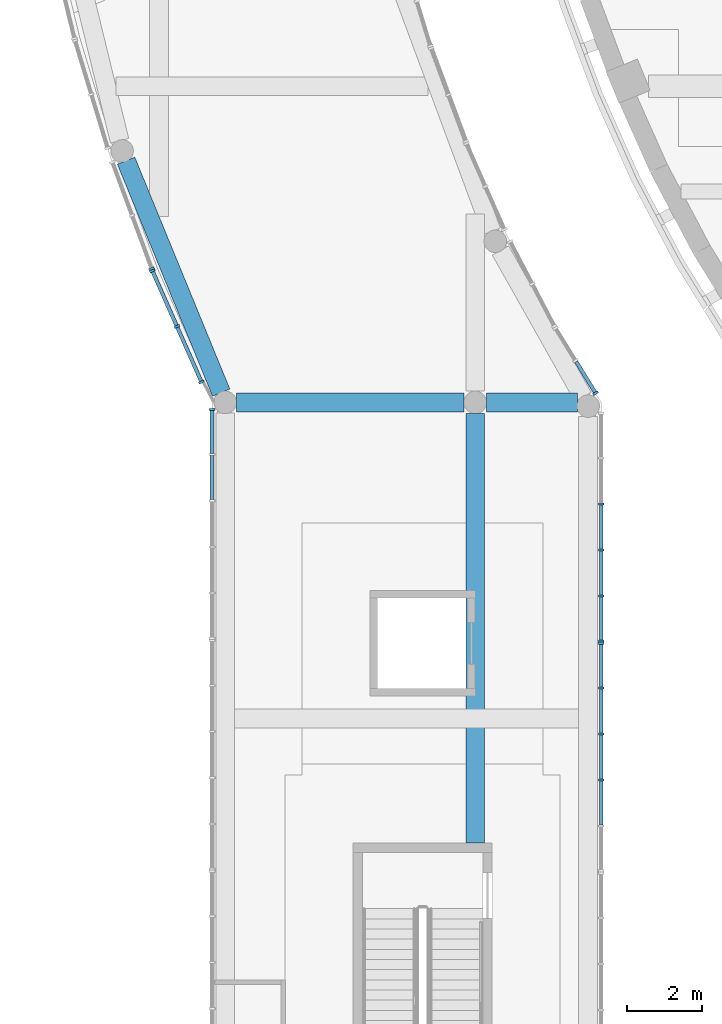
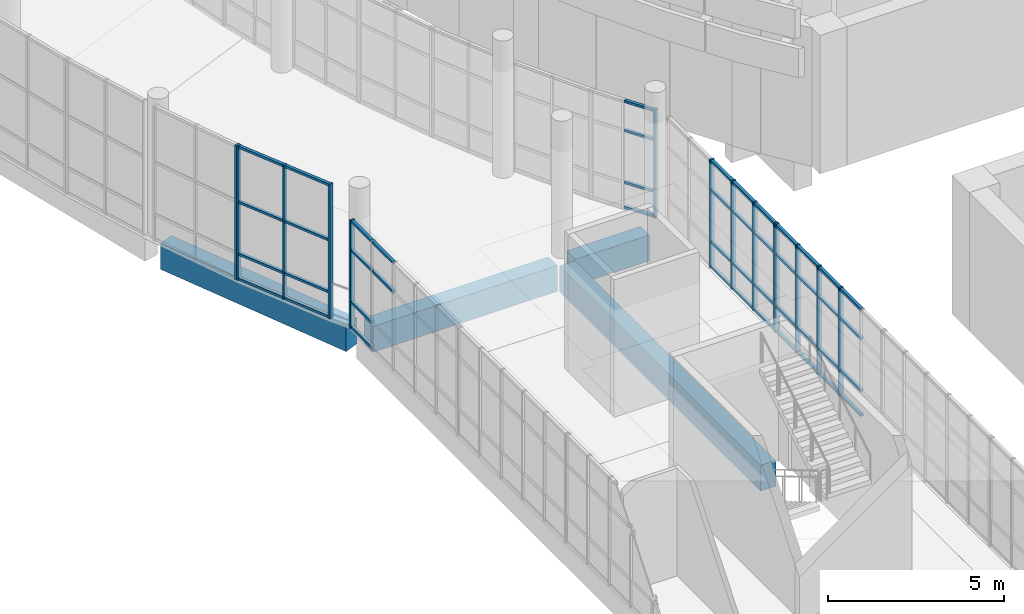
# One storey, part 8 of 119: 60 members, 4 beams, 6 elements without a shape of their own.
"""IFC4 building model written with IfcOpenShell, lengths in metres."""

from ifc_helpers import new_model, si_unit, direction, frame, origin, origin_2d, place, context, subcontext, project, spatial, rectangle, extrude, material, layer, layer_set, material_profile, profile_set, type_object, element, aggregate, save


model = new_model("IFC4")

# Units and contexts
model_context = context("Model", 3, precision=1e-05, world=origin(), true_north=direction((0.0, 1.0)))
body_context = subcontext(model_context, "Body", "Model", "MODEL_VIEW")
ifc_project = project(units=[si_unit("LENGTHUNIT", "METRE"), si_unit("AREAUNIT", "SQUARE_METRE"), si_unit("VOLUMEUNIT", "CUBIC_METRE"), si_unit("PLANEANGLEUNIT", "RADIAN"), si_unit("MASSUNIT", "GRAM", prefix="KILO")], contexts=[model_context])

# Site, building, storey
site_placement = place(None, origin())
site = spatial("IfcSite", under=ifc_project, at=site_placement, CompositionType="ELEMENT")
building_placement = place(site_placement, origin())
building = spatial("IfcBuilding", under=site, at=building_placement, Name="Larchfold Concert Hall", CompositionType="ELEMENT")
storey_placement = place(building_placement, frame((0.0, 0.0, 4.800048828125)))
storey = spatial("IfcBuildingStorey", under=building, at=storey_placement, Name="L01", CompositionType="ELEMENT", Elevation=4.800048828125)

# Curtain wall, member
ifc_material_1 = material(Name="Anodised graphite aluminium curtain wall", Category="aluminium")
ifc_layer = layer(ifc_material_1, 0.14990234375)
ifc_layer_set = layer_set([ifc_layer], Name="Anodised graphite aluminium curtain wall")
curtain_wall_type = type_object("IfcCurtainWallType", Name="Curtain wall WG", PredefinedType="NOTDEFINED", material=ifc_layer_set)
curtain_wall_1_placement = place(storey_placement, origin())
curtain_wall_1 = element("IfcCurtainWall", 1, at=curtain_wall_1_placement, inside=storey, type_object=curtain_wall_type, Name="Curtain wall CW0137", PredefinedType="NOTDEFINED")
ifc_material_2 = material(Name="Anodised graphite aluminium mullion", Category="aluminium")
ifc_material_profile_1 = material_profile(ifc_material_2, rectangle(XDim=0.14990234375, YDim=0.06005859375, at=origin_2d()))
ifc_profile_set_1 = profile_set([ifc_material_profile_1], Name="Anodised graphite aluminium mullion")
member_type_1 = type_object("IfcMemberType", Name="Aluminium mullion 60x150", PredefinedType="MULLION", material=ifc_profile_set_1)
member_1_placement = place(storey_placement, frame((20.59765625, 59.64599609375, 0.0), z_axis=(0.0, 0.0, 1.0), x_axis=(-0.851674367978, -0.52407134145, 0.0)))
member_1 = element("IfcMember", 2, at=member_1_placement, type_object=member_type_1, Name="CW0137 mullion 1", PredefinedType="MULLION", context=body_context, shape_type="SweptSolid", body=[
    extrude(rectangle(XDim=0.14990234375, YDim=0.06005859375, at=origin_2d()), origin(), (0.0, 0.0, 1.0), 3.75),
])

curtain_wall_2_placement = place(storey_placement, origin())
curtain_wall_2 = element("IfcCurtainWall", 3, at=curtain_wall_2_placement, inside=storey, type_object=curtain_wall_type, Name="Curtain wall CW0202", PredefinedType="NOTDEFINED")
member_2_placement = place(storey_placement, frame((8.80029296875, 62.95068359375, 0.0), z_axis=(0.0, 0.0, 1.0), x_axis=(0.938015834921, 0.346592402451, 0.0)))
member_2 = element("IfcMember", 4, at=member_2_placement, type_object=member_type_1, Name="CW0202 mullion 3", PredefinedType="MULLION", context=body_context, shape_type="SweptSolid", body=[
    extrude(rectangle(XDim=0.14990234375, YDim=0.06005859375, at=origin_2d()), origin(), (0.0, 0.0, 1.0), 4.64990234375),
])
aggregate(curtain_wall_2, [member_2])

# Curtain wall, members
curtain_wall_3_placement = place(storey_placement, origin())
curtain_wall_3 = element("IfcCurtainWall", 5, at=curtain_wall_3_placement, inside=storey, type_object=curtain_wall_type, Name="Curtain wall CW0203", PredefinedType="NOTDEFINED")
member_3_placement = place(storey_placement, frame((8.822998046875, 62.895263671875, 0.0), z_axis=(0.0, 0.0, 1.0), x_axis=(0.914703196701, 0.404126294549, 0.0)))
member_3 = element("IfcMember", 6, at=member_3_placement, type_object=member_type_1, Name="CW0203 mullion 1", PredefinedType="MULLION", context=body_context, shape_type="SweptSolid", body=[
    extrude(rectangle(XDim=0.14990234375, YDim=0.06005859375, at=origin_2d()), origin(), (0.0, 0.0, 1.0), 4.64990234375),
])
member_4_placement = place(storey_placement, frame((9.475341796875, 61.41845703125, 0.0), z_axis=(0.0, 0.0, 1.0), x_axis=(0.914703196701, 0.404126294549, 0.0)))
member_4 = element("IfcMember", 7, at=member_4_placement, type_object=member_type_1, Name="CW0203 mullion 2", PredefinedType="MULLION", context=body_context, shape_type="SweptSolid", body=[
    extrude(rectangle(XDim=0.14990234375, YDim=0.06005859375, at=origin_2d()), origin(), (0.0, 0.0, 1.0), 4.64990234375),
])
member_5_placement = place(storey_placement, frame((10.127685546875, 59.941650390625, 0.0), z_axis=(0.0, 0.0, 1.0), x_axis=(0.914703196701, 0.404126294549, 0.0)))
member_5 = element("IfcMember", 8, at=member_5_placement, type_object=member_type_1, Name="CW0203 mullion 3", PredefinedType="MULLION", context=body_context, shape_type="SweptSolid", body=[
    extrude(rectangle(XDim=0.14990234375, YDim=0.06005859375, at=origin_2d()), origin(), (0.0, 0.0, 1.0), 4.64990234375),
])

# Curtain wall, member
curtain_wall_4_placement = place(storey_placement, origin())
curtain_wall_4 = element("IfcCurtainWall", 9, at=curtain_wall_4_placement, inside=storey, type_object=curtain_wall_type, Name="Curtain wall CW0204", PredefinedType="NOTDEFINED")
member_6_placement = place(storey_placement, frame((10.408447265625, 59.211181640625, 0.0), z_axis=(0.0, 0.0, 1.0), x_axis=(1.0, 0.0, 0.0)))
member_6 = element("IfcMember", 10, at=member_6_placement, type_object=member_type_1, Name="CW0204 mullion 1", PredefinedType="MULLION", context=body_context, shape_type="SweptSolid", body=[
    extrude(rectangle(XDim=0.14990234375, YDim=0.06005859375, at=origin_2d()), origin(), (0.0, 0.0, 1.0), 3.75),
])

# Curtain wall, members
curtain_wall_5_placement = place(storey_placement, origin())
curtain_wall_5 = element("IfcCurtainWall", 11, at=curtain_wall_5_placement, inside=storey, type_object=curtain_wall_type, Name="Curtain wall CW0212", PredefinedType="NOTDEFINED")
member_7_placement = place(storey_placement, frame((20.748779296875, 49.368896484375, 0.0), z_axis=(0.0, 0.0, 1.0), x_axis=(-1.0, 0.0, 0.0)))
member_7 = element("IfcMember", 12, at=member_7_placement, type_object=member_type_1, Name="CW0212 mullion 3", PredefinedType="MULLION", context=body_context, shape_type="SweptSolid", body=[
    extrude(rectangle(XDim=0.14990234375, YDim=0.06005859375, at=origin_2d()), origin(), (0.0, 0.0, 1.0), 3.75),
])
member_8_placement = place(storey_placement, frame((20.748779296875, 50.5908203125, 0.0), z_axis=(0.0, 0.0, 1.0), x_axis=(-1.0, 0.0, 0.0)))
member_8 = element("IfcMember", 13, at=member_8_placement, type_object=member_type_1, Name="CW0212 mullion 4", PredefinedType="MULLION", context=body_context, shape_type="SweptSolid", body=[
    extrude(rectangle(XDim=0.14990234375, YDim=0.06005859375, at=origin_2d()), origin(), (0.0, 0.0, 1.0), 3.75),
])
member_9_placement = place(storey_placement, frame((20.748779296875, 51.8125, 0.0), z_axis=(0.0, 0.0, 1.0), x_axis=(-1.0, 0.0, 0.0)))
member_9 = element("IfcMember", 14, at=member_9_placement, type_object=member_type_1, Name="CW0212 mullion 5", PredefinedType="MULLION", context=body_context, shape_type="SweptSolid", body=[
    extrude(rectangle(XDim=0.14990234375, YDim=0.06005859375, at=origin_2d()), origin(), (0.0, 0.0, 1.0), 3.75),
])
member_10_placement = place(storey_placement, frame((20.748779296875, 53.004150390625, 0.0), z_axis=(0.0, 0.0, 1.0), x_axis=(-1.0, 0.0, 0.0)))
member_10 = element("IfcMember", 15, at=member_10_placement, type_object=member_type_1, Name="CW0212 mullion 6", PredefinedType="MULLION", context=body_context, shape_type="SweptSolid", body=[
    extrude(rectangle(XDim=0.14990234375, YDim=0.06005859375, at=origin_2d()), origin(), (0.0, 0.0, 1.0), 3.75),
])

curtain_wall_6_placement = place(storey_placement, origin())
curtain_wall_6 = element("IfcCurtainWall", 16, at=curtain_wall_6_placement, inside=storey, type_object=curtain_wall_type, Name="Curtain wall CW0213", PredefinedType="NOTDEFINED")
member_11_placement = place(storey_placement, frame((20.748779296875, 53.064208984375, 0.0), z_axis=(0.0, 0.0, 1.0), x_axis=(-1.0, 0.0, 0.0)))
member_11 = element("IfcMember", 17, at=member_11_placement, type_object=member_type_1, Name="CW0213 mullion 1", PredefinedType="MULLION", context=body_context, shape_type="SweptSolid", body=[
    extrude(rectangle(XDim=0.14990234375, YDim=0.06005859375, at=origin_2d()), origin(), (0.0, 0.0, 1.0), 3.75),
])
member_12_placement = place(storey_placement, frame((20.748779296875, 54.255859375, 0.0), z_axis=(0.0, 0.0, 1.0), x_axis=(-1.0, 0.0, 0.0)))
member_12 = element("IfcMember", 18, at=member_12_placement, type_object=member_type_1, Name="CW0213 mullion 2", PredefinedType="MULLION", context=body_context, shape_type="SweptSolid", body=[
    extrude(rectangle(XDim=0.14990234375, YDim=0.06005859375, at=origin_2d()), origin(), (0.0, 0.0, 1.0), 3.75),
])
member_13_placement = place(storey_placement, frame((20.748779296875, 55.477783203125, 0.0), z_axis=(0.0, 0.0, 1.0), x_axis=(-1.0, 0.0, 0.0)))
member_13 = element("IfcMember", 19, at=member_13_placement, type_object=member_type_1, Name="CW0213 mullion 3", PredefinedType="MULLION", context=body_context, shape_type="SweptSolid", body=[
    extrude(rectangle(XDim=0.14990234375, YDim=0.06005859375, at=origin_2d()), origin(), (0.0, 0.0, 1.0), 3.75),
])
member_14_placement = place(storey_placement, frame((20.748779296875, 56.699462890625, 0.0), z_axis=(0.0, 0.0, 1.0), x_axis=(-1.0, 0.0, 0.0)))
member_14 = element("IfcMember", 20, at=member_14_placement, type_object=member_type_1, Name="CW0213 mullion 4", PredefinedType="MULLION", context=body_context, shape_type="SweptSolid", body=[
    extrude(rectangle(XDim=0.14990234375, YDim=0.06005859375, at=origin_2d()), origin(), (0.0, 0.0, 1.0), 3.75),
])

# Member
ifc_material_3 = material(Name="Anodised graphite aluminium transom", Category="aluminium")
ifc_material_profile_2 = material_profile(ifc_material_3, rectangle(XDim=0.10009765625, YDim=0.080078125, at=origin_2d()))
ifc_profile_set_2 = profile_set([ifc_material_profile_2], Name="Anodised graphite aluminium transom")
member_type_2 = type_object("IfcMemberType", Name="Aluminium transom 80x100", PredefinedType="USERDEFINED", material=ifc_profile_set_2)
member_15_placement = place(storey_placement, frame((20.581787109375, 59.67138671875, 0.0400390625), z_axis=(-0.524054615194, 0.851684660126, 0.0), x_axis=(-0.851684660126, -0.524054615194, 0.0)))
member_15 = element("IfcMember", 21, at=member_15_placement, type_object=member_type_2, Name="CW0137 transom 1.1", ObjectType="TRANSOM", PredefinedType="USERDEFINED", context=body_context, shape_type="SweptSolid", body=[
    extrude(rectangle(XDim=0.10009765625, YDim=0.080078125, at=origin_2d()), origin(), (0.0, 0.0, 1.0), 0.95458984375),
])

member_16_placement = place(storey_placement, frame((20.581787109375, 59.67138671875, 0.89990234375), z_axis=(-0.524054615194, 0.851684660126, 0.0), x_axis=(-0.851684660126, -0.524054615194, 0.0)))
member_16 = element("IfcMember", 22, at=member_16_placement, type_object=member_type_2, Name="CW0137 transom 1.2", ObjectType="TRANSOM", PredefinedType="USERDEFINED", context=body_context, shape_type="SweptSolid", body=[
    extrude(rectangle(XDim=0.10009765625, YDim=0.080078125, at=origin_2d()), origin(), (0.0, 0.0, 1.0), 0.95458984375),
])

member_17_placement = place(storey_placement, frame((20.581787109375, 59.67138671875, 2.699951171875), z_axis=(-0.524054615194, 0.851684660126, 0.0), x_axis=(-0.851684660126, -0.524054615194, 0.0)))
member_17 = element("IfcMember", 23, at=member_17_placement, type_object=member_type_2, Name="CW0137 transom 1.3", ObjectType="TRANSOM", PredefinedType="USERDEFINED", context=body_context, shape_type="SweptSolid", body=[
    extrude(rectangle(XDim=0.10009765625, YDim=0.080078125, at=origin_2d()), origin(), (0.0, 0.0, 1.0), 0.95458984375),
])

member_18_placement = place(storey_placement, frame((20.581787109375, 59.67138671875, 3.7099609375), z_axis=(-0.524054615194, 0.851684660126, 0.0), x_axis=(-0.851684660126, -0.524054615194, 0.0)))
member_18 = element("IfcMember", 24, at=member_18_placement, type_object=member_type_2, Name="CW0137 transom 1.4", ObjectType="TRANSOM", PredefinedType="USERDEFINED", context=body_context, shape_type="SweptSolid", body=[
    extrude(rectangle(XDim=0.10009765625, YDim=0.080078125, at=origin_2d()), origin(), (0.0, 0.0, 1.0), 0.95458984375),
])

aggregate(curtain_wall_1, [member_1, member_15, member_16, member_17, member_18])

member_19_placement = place(storey_placement, frame((8.8349609375, 62.86767578125, 0.0400390625), z_axis=(0.404111897501, -0.914709557345, 0.0), x_axis=(0.914709557345, 0.404111897501, 0.0)))
member_19 = element("IfcMember", 25, at=member_19_placement, type_object=member_type_2, Name="CW0203 transom 1.1", ObjectType="TRANSOM", PredefinedType="USERDEFINED", context=body_context, shape_type="SweptSolid", body=[
    extrude(rectangle(XDim=0.10009765625, YDim=0.080078125, at=origin_2d()), origin(), (0.0, 0.0, 1.0), 1.554443359375),
])

member_20_placement = place(storey_placement, frame((8.8349609375, 62.86767578125, 0.89990234375), z_axis=(0.404111897501, -0.914709557345, 0.0), x_axis=(0.914709557345, 0.404111897501, 0.0)))
member_20 = element("IfcMember", 26, at=member_20_placement, type_object=member_type_2, Name="CW0203 transom 1.2", ObjectType="TRANSOM", PredefinedType="USERDEFINED", context=body_context, shape_type="SweptSolid", body=[
    extrude(rectangle(XDim=0.10009765625, YDim=0.080078125, at=origin_2d()), origin(), (0.0, 0.0, 1.0), 1.554443359375),
])

member_21_placement = place(storey_placement, frame((8.8349609375, 62.86767578125, 2.699951171875), z_axis=(0.404111897501, -0.914709557345, 0.0), x_axis=(0.914709557345, 0.404111897501, 0.0)))
member_21 = element("IfcMember", 27, at=member_21_placement, type_object=member_type_2, Name="CW0203 transom 1.3", ObjectType="TRANSOM", PredefinedType="USERDEFINED", context=body_context, shape_type="SweptSolid", body=[
    extrude(rectangle(XDim=0.10009765625, YDim=0.080078125, at=origin_2d()), origin(), (0.0, 0.0, 1.0), 1.554443359375),
])

member_22_placement = place(storey_placement, frame((8.8349609375, 62.86767578125, 4.60986328125), z_axis=(0.404111897501, -0.914709557345, 0.0), x_axis=(0.914709557345, 0.404111897501, 0.0)))
member_22 = element("IfcMember", 28, at=member_22_placement, type_object=member_type_2, Name="CW0203 transom 1.4", ObjectType="TRANSOM", PredefinedType="USERDEFINED", context=body_context, shape_type="SweptSolid", body=[
    extrude(rectangle(XDim=0.10009765625, YDim=0.080078125, at=origin_2d()), origin(), (0.0, 0.0, 1.0), 1.554443359375),
])

member_23_placement = place(storey_placement, frame((9.487548828125, 61.39111328125, 0.0400390625), z_axis=(0.404111897501, -0.914709557345, 0.0), x_axis=(0.914709557345, 0.404111897501, 0.0)))
member_23 = element("IfcMember", 29, at=member_23_placement, type_object=member_type_2, Name="CW0203 transom 2.1", ObjectType="TRANSOM", PredefinedType="USERDEFINED", context=body_context, shape_type="SweptSolid", body=[
    extrude(rectangle(XDim=0.10009765625, YDim=0.080078125, at=origin_2d()), origin(), (0.0, 0.0, 1.0), 1.554443359375),
])

member_24_placement = place(storey_placement, frame((9.487548828125, 61.39111328125, 0.89990234375), z_axis=(0.404111897501, -0.914709557345, 0.0), x_axis=(0.914709557345, 0.404111897501, 0.0)))
member_24 = element("IfcMember", 30, at=member_24_placement, type_object=member_type_2, Name="CW0203 transom 2.2", ObjectType="TRANSOM", PredefinedType="USERDEFINED", context=body_context, shape_type="SweptSolid", body=[
    extrude(rectangle(XDim=0.10009765625, YDim=0.080078125, at=origin_2d()), origin(), (0.0, 0.0, 1.0), 1.554443359375),
])

member_25_placement = place(storey_placement, frame((9.487548828125, 61.39111328125, 2.699951171875), z_axis=(0.404111897501, -0.914709557345, 0.0), x_axis=(0.914709557345, 0.404111897501, 0.0)))
member_25 = element("IfcMember", 31, at=member_25_placement, type_object=member_type_2, Name="CW0203 transom 2.3", ObjectType="TRANSOM", PredefinedType="USERDEFINED", context=body_context, shape_type="SweptSolid", body=[
    extrude(rectangle(XDim=0.10009765625, YDim=0.080078125, at=origin_2d()), origin(), (0.0, 0.0, 1.0), 1.554443359375),
])

member_26_placement = place(storey_placement, frame((9.487548828125, 61.39111328125, 4.60986328125), z_axis=(0.404111897501, -0.914709557345, 0.0), x_axis=(0.914709557345, 0.404111897501, 0.0)))
member_26 = element("IfcMember", 32, at=member_26_placement, type_object=member_type_2, Name="CW0203 transom 2.4", ObjectType="TRANSOM", PredefinedType="USERDEFINED", context=body_context, shape_type="SweptSolid", body=[
    extrude(rectangle(XDim=0.10009765625, YDim=0.080078125, at=origin_2d()), origin(), (0.0, 0.0, 1.0), 1.554443359375),
])

aggregate(curtain_wall_3, [member_3, member_4, member_5, member_19, member_20, member_21, member_22, member_23, member_24, member_25, member_26])

member_27_placement = place(storey_placement, frame((10.408447265625, 59.18115234375, 0.0400390625), z_axis=(0.0, -1.0, 0.0), x_axis=(1.0, 0.0, 0.0)))
member_27 = element("IfcMember", 33, at=member_27_placement, type_object=member_type_2, Name="CW0204 transom 1.1", ObjectType="TRANSOM", PredefinedType="USERDEFINED", context=body_context, shape_type="SweptSolid", body=[
    extrude(rectangle(XDim=0.10009765625, YDim=0.080078125, at=origin_2d()), origin(), (0.0, 0.0, 1.0), 1.136474609375),
])

member_28_placement = place(storey_placement, frame((10.408447265625, 59.18115234375, 0.89990234375), z_axis=(0.0, -1.0, 0.0), x_axis=(1.0, 0.0, 0.0)))
member_28 = element("IfcMember", 34, at=member_28_placement, type_object=member_type_2, Name="CW0204 transom 1.2", ObjectType="TRANSOM", PredefinedType="USERDEFINED", context=body_context, shape_type="SweptSolid", body=[
    extrude(rectangle(XDim=0.10009765625, YDim=0.080078125, at=origin_2d()), origin(), (0.0, 0.0, 1.0), 1.136474609375),
])

member_29_placement = place(storey_placement, frame((10.408447265625, 59.18115234375, 2.699951171875), z_axis=(0.0, -1.0, 0.0), x_axis=(1.0, 0.0, 0.0)))
member_29 = element("IfcMember", 35, at=member_29_placement, type_object=member_type_2, Name="CW0204 transom 1.3", ObjectType="TRANSOM", PredefinedType="USERDEFINED", context=body_context, shape_type="SweptSolid", body=[
    extrude(rectangle(XDim=0.10009765625, YDim=0.080078125, at=origin_2d()), origin(), (0.0, 0.0, 1.0), 1.136474609375),
])

member_30_placement = place(storey_placement, frame((10.408447265625, 59.18115234375, 3.7099609375), z_axis=(0.0, -1.0, 0.0), x_axis=(1.0, 0.0, 0.0)))
member_30 = element("IfcMember", 36, at=member_30_placement, type_object=member_type_2, Name="CW0204 transom 1.4", ObjectType="TRANSOM", PredefinedType="USERDEFINED", context=body_context, shape_type="SweptSolid", body=[
    extrude(rectangle(XDim=0.10009765625, YDim=0.080078125, at=origin_2d()), origin(), (0.0, 0.0, 1.0), 1.136474609375),
])

member_31_placement = place(storey_placement, frame((10.408447265625, 57.984619140625, 2.699951171875), z_axis=(0.0, -1.0, 0.0), x_axis=(1.0, 0.0, 0.0)))
member_31 = element("IfcMember", 37, at=member_31_placement, type_object=member_type_2, Name="CW0204 transom 2.3", ObjectType="TRANSOM", PredefinedType="USERDEFINED", context=body_context, shape_type="SweptSolid", body=[
    extrude(rectangle(XDim=0.10009765625, YDim=0.080078125, at=origin_2d()), origin(), (0.0, 0.0, 1.0), 1.166748046875),
])

member_32_placement = place(storey_placement, frame((10.408447265625, 57.984619140625, 3.7099609375), z_axis=(0.0, -1.0, 0.0), x_axis=(1.0, 0.0, 0.0)))
member_32 = element("IfcMember", 38, at=member_32_placement, type_object=member_type_2, Name="CW0204 transom 2.4", ObjectType="TRANSOM", PredefinedType="USERDEFINED", context=body_context, shape_type="SweptSolid", body=[
    extrude(rectangle(XDim=0.10009765625, YDim=0.080078125, at=origin_2d()), origin(), (0.0, 0.0, 1.0), 1.166748046875),
])

aggregate(curtain_wall_4, [member_6, member_27, member_28, member_29, member_30, member_31, member_32])

member_33_placement = place(storey_placement, frame((20.748779296875, 48.17724609375, 0.0400390625), z_axis=(0.0, 1.0, 0.0), x_axis=(-1.0, 0.0, 0.0)))
member_33 = element("IfcMember", 39, at=member_33_placement, type_object=member_type_2, Name="CW0212 transom 2.1", ObjectType="TRANSOM", PredefinedType="USERDEFINED", context=body_context, shape_type="SweptSolid", body=[
    extrude(rectangle(XDim=0.10009765625, YDim=0.080078125, at=origin_2d()), origin(), (0.0, 0.0, 1.0), 1.161865234375),
])

member_34_placement = place(storey_placement, frame((20.748779296875, 48.17724609375, 0.89990234375), z_axis=(0.0, 1.0, 0.0), x_axis=(-1.0, 0.0, 0.0)))
member_34 = element("IfcMember", 40, at=member_34_placement, type_object=member_type_2, Name="CW0212 transom 2.2", ObjectType="TRANSOM", PredefinedType="USERDEFINED", context=body_context, shape_type="SweptSolid", body=[
    extrude(rectangle(XDim=0.10009765625, YDim=0.080078125, at=origin_2d()), origin(), (0.0, 0.0, 1.0), 1.161865234375),
])

member_35_placement = place(storey_placement, frame((20.748779296875, 48.17724609375, 2.699951171875), z_axis=(0.0, 1.0, 0.0), x_axis=(-1.0, 0.0, 0.0)))
member_35 = element("IfcMember", 41, at=member_35_placement, type_object=member_type_2, Name="CW0212 transom 2.3", ObjectType="TRANSOM", PredefinedType="USERDEFINED", context=body_context, shape_type="SweptSolid", body=[
    extrude(rectangle(XDim=0.10009765625, YDim=0.080078125, at=origin_2d()), origin(), (0.0, 0.0, 1.0), 1.161865234375),
])

member_36_placement = place(storey_placement, frame((20.748779296875, 48.17724609375, 3.7099609375), z_axis=(0.0, 1.0, 0.0), x_axis=(-1.0, 0.0, 0.0)))
member_36 = element("IfcMember", 42, at=member_36_placement, type_object=member_type_2, Name="CW0212 transom 2.4", ObjectType="TRANSOM", PredefinedType="USERDEFINED", context=body_context, shape_type="SweptSolid", body=[
    extrude(rectangle(XDim=0.10009765625, YDim=0.080078125, at=origin_2d()), origin(), (0.0, 0.0, 1.0), 1.161865234375),
])

member_37_placement = place(storey_placement, frame((20.748779296875, 49.39892578125, 0.0400390625), z_axis=(0.0, 1.0, 0.0), x_axis=(-1.0, 0.0, 0.0)))
member_37 = element("IfcMember", 43, at=member_37_placement, type_object=member_type_2, Name="CW0212 transom 3.1", ObjectType="TRANSOM", PredefinedType="USERDEFINED", context=body_context, shape_type="SweptSolid", body=[
    extrude(rectangle(XDim=0.10009765625, YDim=0.080078125, at=origin_2d()), origin(), (0.0, 0.0, 1.0), 1.161865234375),
])

member_38_placement = place(storey_placement, frame((20.748779296875, 49.39892578125, 0.89990234375), z_axis=(0.0, 1.0, 0.0), x_axis=(-1.0, 0.0, 0.0)))
member_38 = element("IfcMember", 44, at=member_38_placement, type_object=member_type_2, Name="CW0212 transom 3.2", ObjectType="TRANSOM", PredefinedType="USERDEFINED", context=body_context, shape_type="SweptSolid", body=[
    extrude(rectangle(XDim=0.10009765625, YDim=0.080078125, at=origin_2d()), origin(), (0.0, 0.0, 1.0), 1.161865234375),
])

member_39_placement = place(storey_placement, frame((20.748779296875, 49.39892578125, 2.699951171875), z_axis=(0.0, 1.0, 0.0), x_axis=(-1.0, 0.0, 0.0)))
member_39 = element("IfcMember", 45, at=member_39_placement, type_object=member_type_2, Name="CW0212 transom 3.3", ObjectType="TRANSOM", PredefinedType="USERDEFINED", context=body_context, shape_type="SweptSolid", body=[
    extrude(rectangle(XDim=0.10009765625, YDim=0.080078125, at=origin_2d()), origin(), (0.0, 0.0, 1.0), 1.161865234375),
])

member_40_placement = place(storey_placement, frame((20.748779296875, 49.39892578125, 3.7099609375), z_axis=(0.0, 1.0, 0.0), x_axis=(-1.0, 0.0, 0.0)))
member_40 = element("IfcMember", 46, at=member_40_placement, type_object=member_type_2, Name="CW0212 transom 3.4", ObjectType="TRANSOM", PredefinedType="USERDEFINED", context=body_context, shape_type="SweptSolid", body=[
    extrude(rectangle(XDim=0.10009765625, YDim=0.080078125, at=origin_2d()), origin(), (0.0, 0.0, 1.0), 1.161865234375),
])

member_41_placement = place(storey_placement, frame((20.748779296875, 50.62060546875, 0.0400390625), z_axis=(0.0, 1.0, 0.0), x_axis=(-1.0, 0.0, 0.0)))
member_41 = element("IfcMember", 47, at=member_41_placement, type_object=member_type_2, Name="CW0212 transom 4.1", ObjectType="TRANSOM", PredefinedType="USERDEFINED", context=body_context, shape_type="SweptSolid", body=[
    extrude(rectangle(XDim=0.10009765625, YDim=0.080078125, at=origin_2d()), origin(), (0.0, 0.0, 1.0), 1.161865234375),
])

member_42_placement = place(storey_placement, frame((20.748779296875, 50.62060546875, 0.89990234375), z_axis=(0.0, 1.0, 0.0), x_axis=(-1.0, 0.0, 0.0)))
member_42 = element("IfcMember", 48, at=member_42_placement, type_object=member_type_2, Name="CW0212 transom 4.2", ObjectType="TRANSOM", PredefinedType="USERDEFINED", context=body_context, shape_type="SweptSolid", body=[
    extrude(rectangle(XDim=0.10009765625, YDim=0.080078125, at=origin_2d()), origin(), (0.0, 0.0, 1.0), 1.161865234375),
])

member_43_placement = place(storey_placement, frame((20.748779296875, 50.62060546875, 2.699951171875), z_axis=(0.0, 1.0, 0.0), x_axis=(-1.0, 0.0, 0.0)))
member_43 = element("IfcMember", 49, at=member_43_placement, type_object=member_type_2, Name="CW0212 transom 4.3", ObjectType="TRANSOM", PredefinedType="USERDEFINED", context=body_context, shape_type="SweptSolid", body=[
    extrude(rectangle(XDim=0.10009765625, YDim=0.080078125, at=origin_2d()), origin(), (0.0, 0.0, 1.0), 1.161865234375),
])

member_44_placement = place(storey_placement, frame((20.748779296875, 50.62060546875, 3.7099609375), z_axis=(0.0, 1.0, 0.0), x_axis=(-1.0, 0.0, 0.0)))
member_44 = element("IfcMember", 50, at=member_44_placement, type_object=member_type_2, Name="CW0212 transom 4.4", ObjectType="TRANSOM", PredefinedType="USERDEFINED", context=body_context, shape_type="SweptSolid", body=[
    extrude(rectangle(XDim=0.10009765625, YDim=0.080078125, at=origin_2d()), origin(), (0.0, 0.0, 1.0), 1.161865234375),
])

member_45_placement = place(storey_placement, frame((20.748779296875, 51.842529296875, 0.0400390625), z_axis=(0.0, 1.0, 0.0), x_axis=(-1.0, 0.0, 0.0)))
member_45 = element("IfcMember", 51, at=member_45_placement, type_object=member_type_2, Name="CW0212 transom 5.1", ObjectType="TRANSOM", PredefinedType="USERDEFINED", context=body_context, shape_type="SweptSolid", body=[
    extrude(rectangle(XDim=0.10009765625, YDim=0.080078125, at=origin_2d()), origin(), (0.0, 0.0, 1.0), 1.131591796875),
])

member_46_placement = place(storey_placement, frame((20.748779296875, 51.842529296875, 0.89990234375), z_axis=(0.0, 1.0, 0.0), x_axis=(-1.0, 0.0, 0.0)))
member_46 = element("IfcMember", 52, at=member_46_placement, type_object=member_type_2, Name="CW0212 transom 5.2", ObjectType="TRANSOM", PredefinedType="USERDEFINED", context=body_context, shape_type="SweptSolid", body=[
    extrude(rectangle(XDim=0.10009765625, YDim=0.080078125, at=origin_2d()), origin(), (0.0, 0.0, 1.0), 1.131591796875),
])

member_47_placement = place(storey_placement, frame((20.748779296875, 51.842529296875, 2.699951171875), z_axis=(0.0, 1.0, 0.0), x_axis=(-1.0, 0.0, 0.0)))
member_47 = element("IfcMember", 53, at=member_47_placement, type_object=member_type_2, Name="CW0212 transom 5.3", ObjectType="TRANSOM", PredefinedType="USERDEFINED", context=body_context, shape_type="SweptSolid", body=[
    extrude(rectangle(XDim=0.10009765625, YDim=0.080078125, at=origin_2d()), origin(), (0.0, 0.0, 1.0), 1.131591796875),
])

member_48_placement = place(storey_placement, frame((20.748779296875, 51.842529296875, 3.7099609375), z_axis=(0.0, 1.0, 0.0), x_axis=(-1.0, 0.0, 0.0)))
member_48 = element("IfcMember", 54, at=member_48_placement, type_object=member_type_2, Name="CW0212 transom 5.4", ObjectType="TRANSOM", PredefinedType="USERDEFINED", context=body_context, shape_type="SweptSolid", body=[
    extrude(rectangle(XDim=0.10009765625, YDim=0.080078125, at=origin_2d()), origin(), (0.0, 0.0, 1.0), 1.131591796875),
])

aggregate(curtain_wall_5, [member_7, member_8, member_9, member_10, member_33, member_34, member_35, member_36, member_37, member_38, member_39, member_40, member_41, member_42, member_43, member_44, member_45, member_46, member_47, member_48])

member_49_placement = place(storey_placement, frame((20.748779296875, 53.09423828125, 0.0400390625), z_axis=(0.0, 1.0, 0.0), x_axis=(-1.0, 0.0, 0.0)))
member_49 = element("IfcMember", 55, at=member_49_placement, type_object=member_type_2, Name="CW0213 transom 1.1", ObjectType="TRANSOM", PredefinedType="USERDEFINED", context=body_context, shape_type="SweptSolid", body=[
    extrude(rectangle(XDim=0.10009765625, YDim=0.080078125, at=origin_2d()), origin(), (0.0, 0.0, 1.0), 1.1318359375),
])

member_50_placement = place(storey_placement, frame((20.748779296875, 53.09423828125, 0.89990234375), z_axis=(0.0, 1.0, 0.0), x_axis=(-1.0, 0.0, 0.0)))
member_50 = element("IfcMember", 56, at=member_50_placement, type_object=member_type_2, Name="CW0213 transom 1.2", ObjectType="TRANSOM", PredefinedType="USERDEFINED", context=body_context, shape_type="SweptSolid", body=[
    extrude(rectangle(XDim=0.10009765625, YDim=0.080078125, at=origin_2d()), origin(), (0.0, 0.0, 1.0), 1.1318359375),
])

member_51_placement = place(storey_placement, frame((20.748779296875, 53.09423828125, 2.699951171875), z_axis=(0.0, 1.0, 0.0), x_axis=(-1.0, 0.0, 0.0)))
member_51 = element("IfcMember", 57, at=member_51_placement, type_object=member_type_2, Name="CW0213 transom 1.3", ObjectType="TRANSOM", PredefinedType="USERDEFINED", context=body_context, shape_type="SweptSolid", body=[
    extrude(rectangle(XDim=0.10009765625, YDim=0.080078125, at=origin_2d()), origin(), (0.0, 0.0, 1.0), 1.1318359375),
])

member_52_placement = place(storey_placement, frame((20.748779296875, 53.09423828125, 3.7099609375), z_axis=(0.0, 1.0, 0.0), x_axis=(-1.0, 0.0, 0.0)))
member_52 = element("IfcMember", 58, at=member_52_placement, type_object=member_type_2, Name="CW0213 transom 1.4", ObjectType="TRANSOM", PredefinedType="USERDEFINED", context=body_context, shape_type="SweptSolid", body=[
    extrude(rectangle(XDim=0.10009765625, YDim=0.080078125, at=origin_2d()), origin(), (0.0, 0.0, 1.0), 1.1318359375),
])

member_53_placement = place(storey_placement, frame((20.748779296875, 54.285888671875, 0.0400390625), z_axis=(0.0, 1.0, 0.0), x_axis=(-1.0, 0.0, 0.0)))
member_53 = element("IfcMember", 59, at=member_53_placement, type_object=member_type_2, Name="CW0213 transom 2.1", ObjectType="TRANSOM", PredefinedType="USERDEFINED", context=body_context, shape_type="SweptSolid", body=[
    extrude(rectangle(XDim=0.10009765625, YDim=0.080078125, at=origin_2d()), origin(), (0.0, 0.0, 1.0), 1.161865234375),
])

member_54_placement = place(storey_placement, frame((20.748779296875, 54.285888671875, 0.89990234375), z_axis=(0.0, 1.0, 0.0), x_axis=(-1.0, 0.0, 0.0)))
member_54 = element("IfcMember", 60, at=member_54_placement, type_object=member_type_2, Name="CW0213 transom 2.2", ObjectType="TRANSOM", PredefinedType="USERDEFINED", context=body_context, shape_type="SweptSolid", body=[
    extrude(rectangle(XDim=0.10009765625, YDim=0.080078125, at=origin_2d()), origin(), (0.0, 0.0, 1.0), 1.161865234375),
])

member_55_placement = place(storey_placement, frame((20.748779296875, 54.285888671875, 2.699951171875), z_axis=(0.0, 1.0, 0.0), x_axis=(-1.0, 0.0, 0.0)))
member_55 = element("IfcMember", 61, at=member_55_placement, type_object=member_type_2, Name="CW0213 transom 2.3", ObjectType="TRANSOM", PredefinedType="USERDEFINED", context=body_context, shape_type="SweptSolid", body=[
    extrude(rectangle(XDim=0.10009765625, YDim=0.080078125, at=origin_2d()), origin(), (0.0, 0.0, 1.0), 1.161865234375),
])

member_56_placement = place(storey_placement, frame((20.748779296875, 54.285888671875, 3.7099609375), z_axis=(0.0, 1.0, 0.0), x_axis=(-1.0, 0.0, 0.0)))
member_56 = element("IfcMember", 62, at=member_56_placement, type_object=member_type_2, Name="CW0213 transom 2.4", ObjectType="TRANSOM", PredefinedType="USERDEFINED", context=body_context, shape_type="SweptSolid", body=[
    extrude(rectangle(XDim=0.10009765625, YDim=0.080078125, at=origin_2d()), origin(), (0.0, 0.0, 1.0), 1.161865234375),
])

member_57_placement = place(storey_placement, frame((20.748779296875, 55.5078125, 0.0400390625), z_axis=(0.0, 1.0, 0.0), x_axis=(-1.0, 0.0, 0.0)))
member_57 = element("IfcMember", 63, at=member_57_placement, type_object=member_type_2, Name="CW0213 transom 3.1", ObjectType="TRANSOM", PredefinedType="USERDEFINED", context=body_context, shape_type="SweptSolid", body=[
    extrude(rectangle(XDim=0.10009765625, YDim=0.080078125, at=origin_2d()), origin(), (0.0, 0.0, 1.0), 1.16162109375),
])

member_58_placement = place(storey_placement, frame((20.748779296875, 55.5078125, 0.89990234375), z_axis=(0.0, 1.0, 0.0), x_axis=(-1.0, 0.0, 0.0)))
member_58 = element("IfcMember", 64, at=member_58_placement, type_object=member_type_2, Name="CW0213 transom 3.2", ObjectType="TRANSOM", PredefinedType="USERDEFINED", context=body_context, shape_type="SweptSolid", body=[
    extrude(rectangle(XDim=0.10009765625, YDim=0.080078125, at=origin_2d()), origin(), (0.0, 0.0, 1.0), 1.16162109375),
])

member_59_placement = place(storey_placement, frame((20.748779296875, 55.5078125, 2.699951171875), z_axis=(0.0, 1.0, 0.0), x_axis=(-1.0, 0.0, 0.0)))
member_59 = element("IfcMember", 65, at=member_59_placement, type_object=member_type_2, Name="CW0213 transom 3.3", ObjectType="TRANSOM", PredefinedType="USERDEFINED", context=body_context, shape_type="SweptSolid", body=[
    extrude(rectangle(XDim=0.10009765625, YDim=0.080078125, at=origin_2d()), origin(), (0.0, 0.0, 1.0), 1.16162109375),
])

member_60_placement = place(storey_placement, frame((20.748779296875, 55.5078125, 3.7099609375), z_axis=(0.0, 1.0, 0.0), x_axis=(-1.0, 0.0, 0.0)))
member_60 = element("IfcMember", 66, at=member_60_placement, type_object=member_type_2, Name="CW0213 transom 3.4", ObjectType="TRANSOM", PredefinedType="USERDEFINED", context=body_context, shape_type="SweptSolid", body=[
    extrude(rectangle(XDim=0.10009765625, YDim=0.080078125, at=origin_2d()), origin(), (0.0, 0.0, 1.0), 1.16162109375),
])

aggregate(curtain_wall_6, [member_11, member_12, member_13, member_14, member_49, member_50, member_51, member_52, member_53, member_54, member_55, member_56, member_57, member_58, member_59, member_60])

# Beams
ifc_material_4 = material(Name="Concrete C35/45", Category="concrete")
ifc_material_profile_3 = material_profile(ifc_material_4, rectangle(XDim=0.5, YDim=0.89990234375, at=origin_2d()))
ifc_profile_set_3 = profile_set([ifc_material_profile_3], Name="Concrete C35/45")
beam_type = type_object("IfcBeamType", Name="Beam RC 500x900", PredefinedType="BEAM", material=ifc_profile_set_3)
beam_1_placement = place(storey_placement, frame((10.651611328125, 59.658935546875, -0.60009765625), z_axis=(-0.379517734684, 0.92518446218, 0.0), x_axis=(-0.92518446218, -0.379517734684, 0.0)))
element("IfcBeam", 67, at=beam_1_placement, inside=storey, type_object=beam_type, Name="Beam B1869", PredefinedType="BEAM", context=body_context, shape_type="SweptSolid", body=[
    extrude(rectangle(XDim=0.5, YDim=0.89990234375, at=origin_2d()), origin(), (0.0, 0.0, 1.0), 6.659423828125),
])
beam_2_placement = place(storey_placement, frame((17.39990234375, 47.699951171875, -0.60009765625), z_axis=(0.0, 1.0, 0.0), x_axis=(-1.0, 0.0, 0.0)))
element("IfcBeam", 68, at=beam_2_placement, inside=storey, type_object=beam_type, Name="Beam B1897", PredefinedType="BEAM", context=body_context, shape_type="SweptSolid", body=[
    extrude(rectangle(XDim=0.5, YDim=0.89990234375, at=origin_2d()), origin(), (0.0, 0.0, 1.0), 11.4013671875),
])
beam_3_placement = place(storey_placement, frame((11.056640625, 59.39990234375, -0.60009765625), z_axis=(1.0, 0.0, 0.0), x_axis=(0.0, 1.0, 0.0)))
element("IfcBeam", 69, at=beam_3_placement, inside=storey, type_object=beam_type, Name="Beam B1917", PredefinedType="BEAM", context=body_context, shape_type="SweptSolid", body=[
    extrude(rectangle(XDim=0.5, YDim=0.89990234375, at=origin_2d()), origin(), (0.0, 0.0, 1.0), 6.044677734375),
])
beam_4_placement = place(storey_placement, frame((17.69873046875, 59.39990234375, -0.60009765625), z_axis=(1.0, 0.0, 0.0), x_axis=(0.0, 1.0, 0.0)))
element("IfcBeam", 70, at=beam_4_placement, inside=storey, type_object=beam_type, Name="Beam B1918", PredefinedType="BEAM", context=body_context, shape_type="SweptSolid", body=[
    extrude(rectangle(XDim=0.5, YDim=0.89990234375, at=origin_2d()), origin(), (0.0, 0.0, 1.0), 2.41748046875),
])

save(model, "model.ifc")
